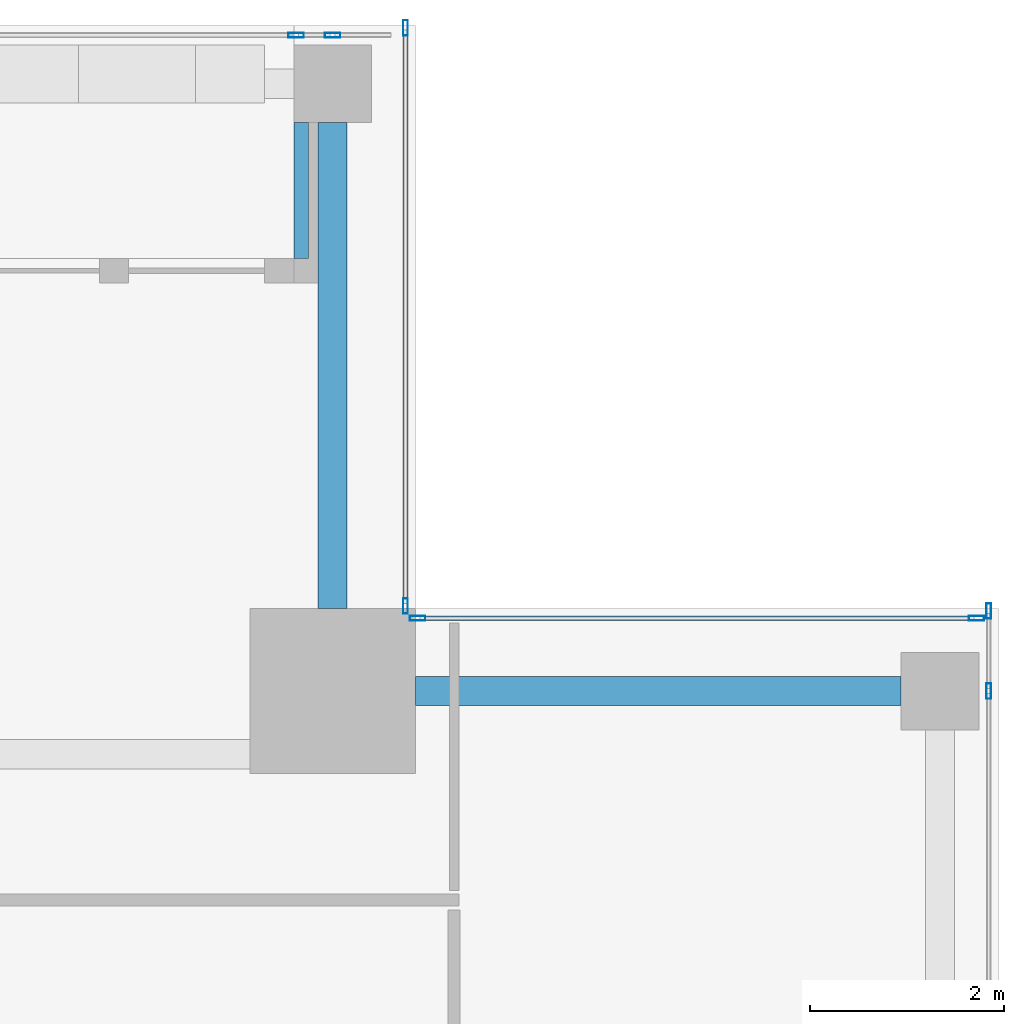
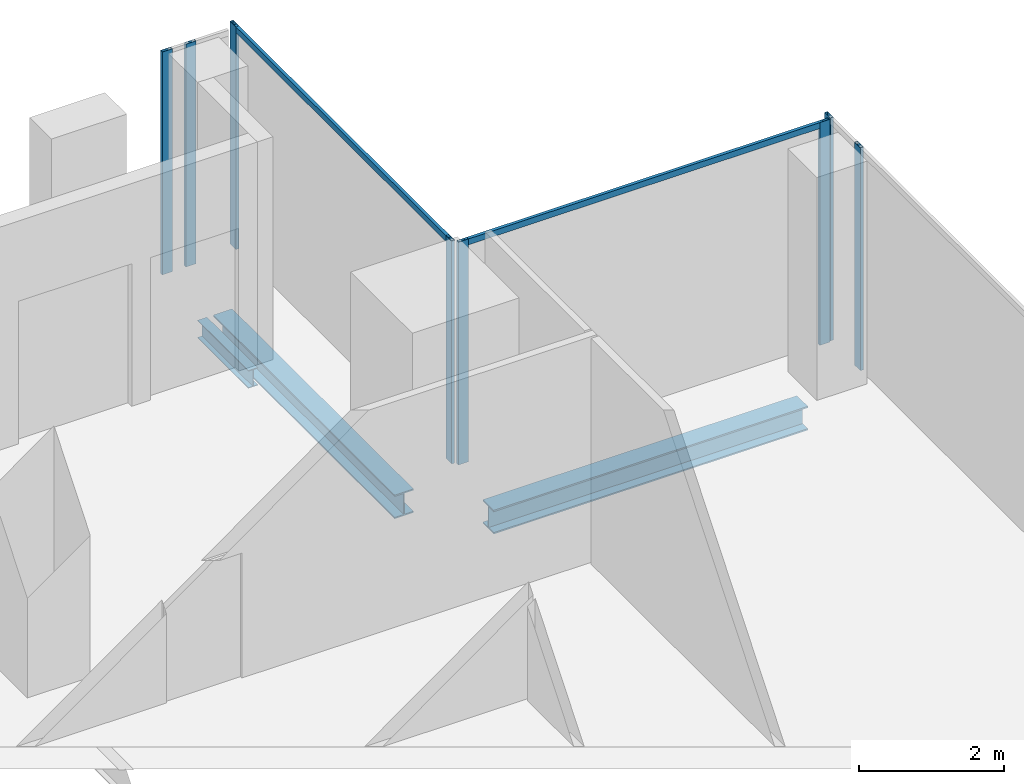
# One storey, part 18 of 29: 10 members, 3 beams, 4 elements without a shape of their own.
"""IFC4 building model written with IfcOpenShell, lengths in metres."""

from ifc_helpers import new_model, si_unit, direction, frame, origin, origin_2d, place, context, subcontext, project, spatial, hollow_rectangle, i_section, extrude, source, transform, mapped, material, material_profile, profile_set, type_object, element, aggregate, save


model = new_model("IFC4")

# Units and contexts
model_context = context("Model", 3, precision=1e-05, world=origin(), true_north=direction((0.0, 1.0)))
body_context = subcontext(model_context, "Body", "Model", "MODEL_VIEW")
ifc_project = project(units=[si_unit("LENGTHUNIT", "METRE"), si_unit("AREAUNIT", "SQUARE_METRE"), si_unit("VOLUMEUNIT", "CUBIC_METRE"), si_unit("PLANEANGLEUNIT", "RADIAN"), si_unit("MASSUNIT", "GRAM", prefix="KILO")], contexts=[model_context])

# Site, building, storey
site_placement = place(None, origin())
site = spatial("IfcSite", under=ifc_project, at=site_placement, CompositionType="ELEMENT")
building_placement = place(site_placement, origin())
building = spatial("IfcBuilding", under=site, at=building_placement, Name="Khomas Fold Tower", CompositionType="ELEMENT")
storey_placement = place(building_placement, frame((0.0, 0.0, 326.199951171875)))
storey = spatial("IfcBuildingStorey", under=building, at=storey_placement, Name="L74", CompositionType="ELEMENT", Elevation=326.199951171875)

# Beams
ifc_material_1 = material(Name="Steel S355", Category="steel")
ifc_material_profile_1 = material_profile(ifc_material_1, i_section(OverallWidth=0.300048828125, OverallDepth=0.39990234375, WebThickness=0.013427734375, FlangeThickness=0.02392578125, at=origin_2d()), Name="HE 400 B")
ifc_profile_set_1 = profile_set([ifc_material_profile_1], Name="Steel S355")
beam_type_1 = type_object("IfcBeamType", Name="HE 400 B spandrel SB5", PredefinedType="SPANDREL", material=ifc_profile_set_1)
shared_shape_1 = source(origin(), body_context, "Body", "SweptSolid", [
    extrude(i_section(OverallWidth=0.300048828125, OverallDepth=0.39990234375, WebThickness=0.013427734375, FlangeThickness=0.02392578125, at=origin_2d()), origin(), (0.0, 0.0, 1.0), 5.0),
])
for number, where, z_axis, x_axis, name in (
    (1, (42.0, 41.14990234375, -0.449951171875), (1.0, 0.0, 0.0), (0.0, 1.0, 0.0), "SB5"),
    (2, (41.14990234375, 42.0, -0.449951171875), (0.0, 1.0, 0.0), (-1.0, 0.0, 0.0), "SB5"),
):
    element("IfcBeam", number, at=place(storey_placement, frame(where, z_axis=z_axis, x_axis=x_axis)), inside=storey, type_object=beam_type_1, Name=name, PredefinedType="SPANDREL", context=body_context, shape_type="MappedRepresentation", body=[
        mapped(shared_shape_1, transform((0.0, 0.0, 0.0))),
    ])
ifc_material_2 = material(Name="Steel S355", Category="steel")
ifc_material_profile_2 = material_profile(ifc_material_2, i_section(OverallWidth=0.14990234375, OverallDepth=0.300048828125, WebThickness=0.007080078125, FlangeThickness=0.0107421875, at=origin_2d()), Name="IPE 300")
ifc_profile_set_2 = profile_set([ifc_material_profile_2], Name="Steel S355")
beam_type_2 = type_object("IfcBeamType", Name="IPE 300 beam BB2", PredefinedType="BEAM", material=ifc_profile_set_2)
shared_shape_2 = source(origin(), body_context, "Body", "SweptSolid", [
    extrude(i_section(OverallWidth=0.14990234375, OverallDepth=0.300048828125, WebThickness=0.007080078125, FlangeThickness=0.0107421875, at=origin_2d()), origin(), (0.0, 0.0, 1.0), 1.39990234375),
])
beam_placement = place(storey_placement, frame((40.824951171875, 45.60009765625, -0.39990234375), z_axis=(0.0, 1.0, 0.0), x_axis=(-1.0, 0.0, 0.0)))
element("IfcBeam", 3, at=beam_placement, inside=storey, type_object=beam_type_2, Name="BB2", PredefinedType="BEAM", context=body_context, shape_type="MappedRepresentation", body=[
    mapped(shared_shape_2, transform((0.0, 0.0, 0.0))),
])

# Curtain wall, members
ifc_material_3 = material(Name="Aluminium framed double glazing", Category="aluminium")
curtain_wall_type = type_object("IfcCurtainWallType", Name="SK-Unitised clear-glass wall, upper floors CW3", PredefinedType="NOTDEFINED", material=ifc_material_3)
curtain_wall_1_placement = place(storey_placement, origin())
curtain_wall_1 = element("IfcCurtainWall", 4, at=curtain_wall_1_placement, inside=storey, type_object=curtain_wall_type, Name="CW3 run L74 03-1", PredefinedType="NOTDEFINED")
ifc_material_4 = material(Name="Aluminium", Category="aluminium")
ifc_material_profile_3 = material_profile(ifc_material_4, hollow_rectangle(XDim=0.050048828125, YDim=0.159912109375, WallThickness=0.00390625, at=origin_2d()), Name="SK-Unitised clear-glass wall, upper floors mullion CW3-M")
ifc_profile_set_3 = profile_set([ifc_material_profile_3], Name="Aluminium")
member_type_1 = type_object("IfcMemberType", Name="SK-Unitised clear-glass wall, upper floors mullion CW3-M", PredefinedType="MULLION", material=ifc_profile_set_3)
shared_shape_3 = source(origin(), body_context, "Body", "SweptSolid", [
    extrude(hollow_rectangle(XDim=0.050048828125, YDim=0.159912109375, WallThickness=0.00390625, at=origin_2d()), origin(), (0.0, 0.0, 1.0), 3.75),
])
member_1_placement = place(storey_placement, frame((47.89990234375, 41.14990234375, 0.0), z_axis=(0.0, 0.0, 1.0), x_axis=(-1.0, 0.0, 0.0)))
member_1 = element("IfcMember", 5, at=member_1_placement, type_object=member_type_1, Name="CW3 mullion 4", PredefinedType="MULLION", context=body_context, shape_type="MappedRepresentation", body=[
    mapped(shared_shape_3, transform((0.0, 0.0, 0.0))),
])
member_2_placement = place(storey_placement, frame((47.89990234375, 41.97509765625, 0.0), z_axis=(0.0, 0.0, 1.0), x_axis=(-1.0, 0.0, 0.0)))
member_2 = element("IfcMember", 6, at=member_2_placement, type_object=member_type_1, Name="CW3 mullion 5", PredefinedType="MULLION", context=body_context, shape_type="MappedRepresentation", body=[
    mapped(shared_shape_3, transform((0.0, 0.0, 0.0))),
])
aggregate(curtain_wall_1, [member_1, member_2])

curtain_wall_2_placement = place(storey_placement, origin())
curtain_wall_2 = element("IfcCurtainWall", 7, at=curtain_wall_2_placement, inside=storey, type_object=curtain_wall_type, Name="CW3 corner return L74 04", PredefinedType="NOTDEFINED")
member_3_placement = place(storey_placement, frame((47.77490234375, 41.89990234375, 0.0), z_axis=(0.0, 0.0, 1.0), x_axis=(0.0, -1.0, 0.0)))
member_3 = element("IfcMember", 8, at=member_3_placement, type_object=member_type_1, Name="CW3 mullion 1", PredefinedType="MULLION", context=body_context, shape_type="MappedRepresentation", body=[
    mapped(shared_shape_3, transform((0.0, 0.0, 0.0))),
])
member_4_placement = place(storey_placement, frame((42.02490234375, 41.89990234375, 0.0), z_axis=(0.0, 0.0, 1.0), x_axis=(0.0, -1.0, 0.0)))
member_4 = element("IfcMember", 9, at=member_4_placement, type_object=member_type_1, Name="CW3 mullion 2", PredefinedType="MULLION", context=body_context, shape_type="MappedRepresentation", body=[
    mapped(shared_shape_3, transform((0.0, 0.0, 0.0))),
])

curtain_wall_3_placement = place(storey_placement, origin())
curtain_wall_3 = element("IfcCurtainWall", 10, at=curtain_wall_3_placement, inside=storey, type_object=curtain_wall_type, Name="CW3 corner return L74 05", PredefinedType="NOTDEFINED")
member_5_placement = place(storey_placement, frame((41.89990234375, 42.02490234375, 0.0), z_axis=(0.0, 0.0, 1.0), x_axis=(-1.0, 0.0, 0.0)))
member_5 = element("IfcMember", 11, at=member_5_placement, type_object=member_type_1, Name="CW3 mullion 1", PredefinedType="MULLION", context=body_context, shape_type="MappedRepresentation", body=[
    mapped(shared_shape_3, transform((0.0, 0.0, 0.0))),
])
member_6_placement = place(storey_placement, frame((41.89990234375, 47.97509765625, 0.0), z_axis=(0.0, 0.0, 1.0), x_axis=(-1.0, 0.0, 0.0)))
member_6 = element("IfcMember", 12, at=member_6_placement, type_object=member_type_1, Name="CW3 mullion 2", PredefinedType="MULLION", context=body_context, shape_type="MappedRepresentation", body=[
    mapped(shared_shape_3, transform((0.0, 0.0, 0.0))),
])

curtain_wall_4_placement = place(storey_placement, origin())
curtain_wall_4 = element("IfcCurtainWall", 13, at=curtain_wall_4_placement, inside=storey, type_object=curtain_wall_type, Name="CW3 run L74 06-0", PredefinedType="NOTDEFINED")
member_7_placement = place(storey_placement, frame((41.14990234375, 47.89990234375, 0.0), z_axis=(0.0, 0.0, 1.0), x_axis=(0.0, -1.0, 0.0)))
member_7 = element("IfcMember", 14, at=member_7_placement, type_object=member_type_1, Name="CW3 mullion 2", PredefinedType="MULLION", context=body_context, shape_type="MappedRepresentation", body=[
    mapped(shared_shape_3, transform((0.0, 0.0, 0.0))),
])
member_8_placement = place(storey_placement, frame((40.77490234375, 47.89990234375, 0.0), z_axis=(0.0, 0.0, 1.0), x_axis=(0.0, -1.0, 0.0)))
member_8 = element("IfcMember", 15, at=member_8_placement, type_object=member_type_1, Name="CW3 mullion 3", PredefinedType="MULLION", context=body_context, shape_type="MappedRepresentation", body=[
    mapped(shared_shape_3, transform((0.0, 0.0, 0.0))),
])
aggregate(curtain_wall_4, [member_7, member_8])

# Member
ifc_material_5 = material(Name="Aluminium", Category="aluminium")
ifc_material_profile_4 = material_profile(ifc_material_5, hollow_rectangle(XDim=0.050048828125, YDim=0.10009765625, WallThickness=0.00390625, at=origin_2d()), Name="SK-Unitised clear-glass wall, upper floors transom CW3-T")
ifc_profile_set_4 = profile_set([ifc_material_profile_4], Name="Aluminium")
member_type_2 = type_object("IfcMemberType", Name="SK-Unitised clear-glass wall, upper floors transom CW3-T", PredefinedType="USERDEFINED", material=ifc_profile_set_4)
shared_shape_4 = source(origin(), body_context, "Body", "SweptSolid", [
    extrude(hollow_rectangle(XDim=0.050048828125, YDim=0.10009765625, WallThickness=0.00390625, at=origin_2d()), origin(), (0.0, 0.0, 1.0), 5.699951171875),
])
member_9_placement = place(storey_placement, frame((47.75, 41.89990234375, 3.699951171875), z_axis=(-1.0, 0.0, 0.0), x_axis=(0.0, -1.0, 0.0)))
member_9 = element("IfcMember", 16, at=member_9_placement, type_object=member_type_2, Name="CW3 transom 1", ObjectType="TRANSOM", PredefinedType="USERDEFINED", context=body_context, shape_type="MappedRepresentation", body=[
    mapped(shared_shape_4, transform((0.0, 0.0, 0.0))),
])

aggregate(curtain_wall_2, [member_3, member_4, member_9])

shared_shape_5 = source(origin(), body_context, "Body", "SweptSolid", [
    extrude(hollow_rectangle(XDim=0.050048828125, YDim=0.10009765625, WallThickness=0.00390625, at=origin_2d()), origin(), (0.0, 0.0, 1.0), 5.89990234375),
])
member_10_placement = place(storey_placement, frame((41.89990234375, 42.050048828125, 3.699951171875), z_axis=(0.0, 1.0, 0.0), x_axis=(-1.0, 0.0, 0.0)))
member_10 = element("IfcMember", 17, at=member_10_placement, type_object=member_type_2, Name="CW3 transom 1", ObjectType="TRANSOM", PredefinedType="USERDEFINED", context=body_context, shape_type="MappedRepresentation", body=[
    mapped(shared_shape_5, transform((0.0, 0.0, 0.0))),
])

aggregate(curtain_wall_3, [member_5, member_6, member_10])

save(model, "model.ifc")
